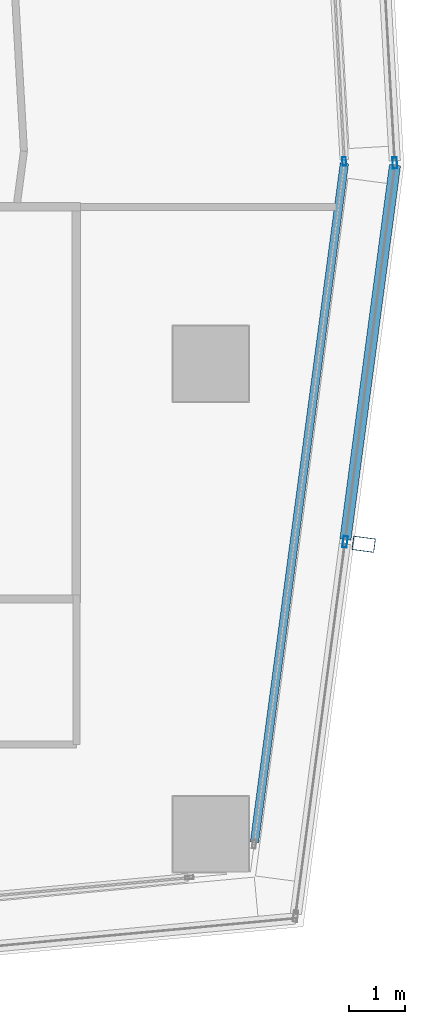
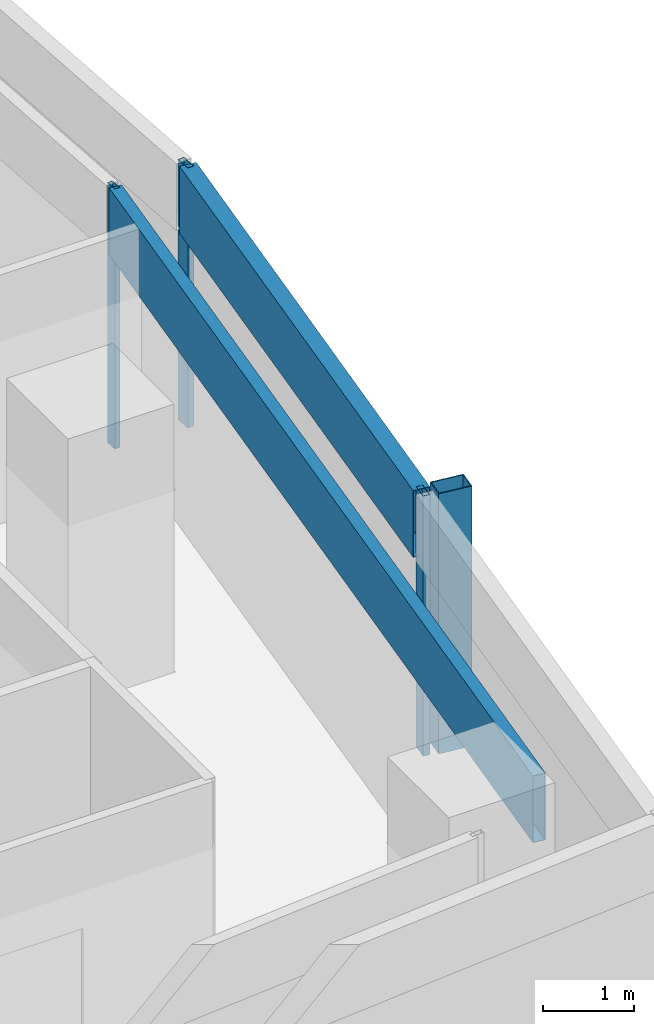
# One storey, part 13 of 40: 6 members, 4 elements without a shape of their own.
"""IFC4 building model written with IfcOpenShell, lengths in metres."""

from ifc_helpers import new_model, si_unit, direction, frame, origin, origin_2d, place, context, subcontext, project, spatial, hollow_rectangle, extrude, material, material_profile, profile_set, type_object, element, aggregate, save


model = new_model("IFC4")

# Units and contexts
model_context = context("Model", 3, precision=1e-05, world=origin(), true_north=direction((0.0, 1.0)))
body_context = subcontext(model_context, "Body", "Model", "MODEL_VIEW")
ifc_project = project(units=[si_unit("LENGTHUNIT", "METRE"), si_unit("AREAUNIT", "SQUARE_METRE"), si_unit("VOLUMEUNIT", "CUBIC_METRE"), si_unit("PLANEANGLEUNIT", "RADIAN"), si_unit("MASSUNIT", "GRAM", prefix="KILO")], contexts=[model_context])

# Site, building, storey
site_placement = place(None, origin())
site = spatial("IfcSite", under=ifc_project, at=site_placement, CompositionType="ELEMENT")
building_placement = place(site_placement, origin())
building = spatial("IfcBuilding", under=site, at=building_placement, Name="Rekha Terrace Tower", CompositionType="ELEMENT")
storey_placement = place(building_placement, frame((0.0, 0.0, 213.949951171875)))
storey = spatial("IfcBuildingStorey", under=building, at=storey_placement, Name="L54", CompositionType="ELEMENT", Elevation=213.949951171875)

# Curtain wall, member
ifc_material_1 = material(Name="Aluminium framing", Category="aluminium")
curtain_wall_type_1 = type_object("IfcCurtainWallType", Name="CW2 double skin outer glazing", PredefinedType="USERDEFINED", material=ifc_material_1)
curtain_wall_1_placement = place(storey_placement, origin())
curtain_wall_1 = element("IfcCurtainWall", 1, at=curtain_wall_1_placement, inside=storey, type_object=curtain_wall_type_1, Name="CW2 double skin outer glazing", ObjectType="DOUBLE SKIN OUTER GLAZING", PredefinedType="USERDEFINED")
ifc_material_2 = material(Name="Steel S355 with fluorocarbon finish", Category="steel")
ifc_material_profile_1 = material_profile(ifc_material_2, hollow_rectangle(XDim=0.25, YDim=0.39990234375, WallThickness=0.012451171875, at=origin_2d()), Name="RHS400x250x12.5")
ifc_profile_set_1 = profile_set([ifc_material_profile_1], Name="Steel S355 with fluorocarbon finish")
member_type_1 = type_object("IfcMemberType", Name="BL1 facade blade RHS 400 x 250", PredefinedType="USERDEFINED", material=ifc_profile_set_1)
member_1_placement = place(storey_placement, frame((61.531005859375, 21.977783203125, 0.0), z_axis=(0.0, 0.0, 1.0), x_axis=(0.131303100637, 0.991342269735, 0.0)))
member_1 = element("IfcMember", 2, at=member_1_placement, type_object=member_type_1, Name="Facade blade", ObjectType="FACADE BLADE", PredefinedType="USERDEFINED", context=body_context, shape_type="SweptSolid", body=[
    extrude(hollow_rectangle(XDim=0.25, YDim=0.39990234375, WallThickness=0.012451171875, at=origin_2d()), origin(), (0.0, 0.0, 1.0), 3.5),
])

curtain_wall_type_2 = type_object("IfcCurtainWallType", Name="CW1 double skin inner glazing", PredefinedType="USERDEFINED", material=ifc_material_1)
curtain_wall_2_placement = place(storey_placement, origin())
curtain_wall_2 = element("IfcCurtainWall", 3, at=curtain_wall_2_placement, inside=storey, type_object=curtain_wall_type_2, Name="CW1 double skin inner glazing", ObjectType="DOUBLE SKIN INNER GLAZING", PredefinedType="USERDEFINED")
ifc_material_3 = material(Name="Aluminium mullion section", Category="aluminium")
ifc_material_profile_2 = material_profile(ifc_material_3, hollow_rectangle(XDim=0.06494140625, YDim=0.14990234375, WallThickness=0.00390625, at=origin_2d()), Name="AL RHS 65x150")
ifc_profile_set_2 = profile_set([ifc_material_profile_2], Name="Aluminium mullion section")
member_type_2 = type_object("IfcMemberType", Name="CW1 mullion RHS 65 x 150", PredefinedType="MULLION", material=ifc_profile_set_2)
member_2_placement = place(storey_placement, frame((61.18408203125, 28.812255859375, 0.0), z_axis=(0.0, 0.0, 1.0), x_axis=(-0.998392782919, -0.05667319486, 0.0)))
member_2 = element("IfcMember", 4, at=member_2_placement, type_object=member_type_2, Name="CW1 mullion 1", PredefinedType="MULLION", context=body_context, shape_type="SweptSolid", body=[
    extrude(hollow_rectangle(XDim=0.06494140625, YDim=0.14990234375, WallThickness=0.00390625, at=origin_2d()), origin(), (0.0, 0.0, 1.0), 3.5),
])
aggregate(curtain_wall_2, [member_2])

curtain_wall_3_placement = place(storey_placement, origin())
curtain_wall_3 = element("IfcCurtainWall", 5, at=curtain_wall_3_placement, inside=storey, type_object=curtain_wall_type_2, Name="CW1 double skin inner glazing", ObjectType="DOUBLE SKIN INNER GLAZING", PredefinedType="USERDEFINED")
ifc_material_4 = material(Name="Insulated aluminium spandrel box", Category="aluminium")
ifc_material_profile_3 = material_profile(ifc_material_4, hollow_rectangle(XDim=0.14990234375, YDim=0.89990234375, WallThickness=0.0029296875, at=origin_2d()), Name="AL SPANDREL BOX 150x900")
ifc_profile_set_3 = profile_set([ifc_material_profile_3], Name="Insulated aluminium spandrel box")
member_type_3 = type_object("IfcMemberType", Name="CW1 spandrel transom 150 x 900", PredefinedType="USERDEFINED", material=ifc_profile_set_3)
member_3_placement = place(storey_placement, frame((59.580322265625, 16.656982421875, 3.050048828125), z_axis=(0.131307111352, 0.991341738508, 0.0), x_axis=(-0.991341738508, 0.131307111352, 0.0)))
member_3 = element("IfcMember", 6, at=member_3_placement, type_object=member_type_3, Name="CW1 spandrel transom 1", ObjectType="TRANSOM", PredefinedType="USERDEFINED", context=body_context, shape_type="SweptSolid", body=[
    extrude(hollow_rectangle(XDim=0.14990234375, YDim=0.89990234375, WallThickness=0.0029296875, at=origin_2d()), origin(), (0.0, 0.0, 1.0), 12.228759765625),
])
aggregate(curtain_wall_3, [member_3])

# Member
ifc_material_profile_4 = material_profile(ifc_material_3, hollow_rectangle(XDim=0.080078125, YDim=0.199951171875, WallThickness=0.00390625, at=origin_2d()), Name="AL RHS 80x200")
ifc_profile_set_4 = profile_set([ifc_material_profile_4], Name="Aluminium mullion section")
member_type_4 = type_object("IfcMemberType", Name="CW2 mullion RHS 80 x 200", PredefinedType="MULLION", material=ifc_profile_set_4)
member_4_placement = place(storey_placement, frame((61.19873046875, 22.021728515625, 0.0), z_axis=(0.0, 0.0, 1.0), x_axis=(-0.991342203187, 0.131303603075, 0.0)))
member_4 = element("IfcMember", 7, at=member_4_placement, type_object=member_type_4, Name="CW2 mullion 2", PredefinedType="MULLION", context=body_context, shape_type="SweptSolid", body=[
    extrude(hollow_rectangle(XDim=0.080078125, YDim=0.199951171875, WallThickness=0.00390625, at=origin_2d()), origin(), (0.0, 0.0, 1.0), 3.5),
])

# Curtain wall, member
curtain_wall_4_placement = place(storey_placement, origin())
curtain_wall_4 = element("IfcCurtainWall", 8, at=curtain_wall_4_placement, inside=storey, type_object=curtain_wall_type_1, Name="CW2 double skin outer glazing", ObjectType="DOUBLE SKIN OUTER GLAZING", PredefinedType="USERDEFINED")
member_5_placement = place(storey_placement, frame((62.087158203125, 28.785888671875, 0.0), z_axis=(0.0, 0.0, 1.0), x_axis=(-0.998392782919, -0.05667319486, 0.0)))
member_5 = element("IfcMember", 9, at=member_5_placement, type_object=member_type_4, Name="CW2 mullion 1", PredefinedType="MULLION", context=body_context, shape_type="SweptSolid", body=[
    extrude(hollow_rectangle(XDim=0.080078125, YDim=0.199951171875, WallThickness=0.00390625, at=origin_2d()), origin(), (0.0, 0.0, 1.0), 3.5),
])
aggregate(curtain_wall_4, [member_5])

# Member
ifc_material_profile_5 = material_profile(ifc_material_4, hollow_rectangle(XDim=0.199951171875, YDim=0.89990234375, WallThickness=0.0029296875, at=origin_2d()), Name="AL SPANDREL BOX 200x900")
ifc_profile_set_5 = profile_set([ifc_material_profile_5], Name="Insulated aluminium spandrel box")
member_type_5 = type_object("IfcMemberType", Name="CW2 spandrel transom 200 x 900", PredefinedType="USERDEFINED", material=ifc_profile_set_5)
member_6_placement = place(storey_placement, frame((61.2041015625, 22.0615234375, 3.050048828125), z_axis=(0.131286165193, 0.991344512684, 0.0), x_axis=(-0.991344512684, 0.131286165193, 0.0)))
member_6 = element("IfcMember", 10, at=member_6_placement, type_object=member_type_5, Name="CW2 spandrel transom 2", ObjectType="TRANSOM", PredefinedType="USERDEFINED", context=body_context, shape_type="SweptSolid", body=[
    extrude(hollow_rectangle(XDim=0.199951171875, YDim=0.89990234375, WallThickness=0.0029296875, at=origin_2d()), origin(), (0.0, 0.0, 1.0), 6.742919921875),
])

aggregate(curtain_wall_1, [member_4, member_6, member_1])

save(model, "model.ifc")
